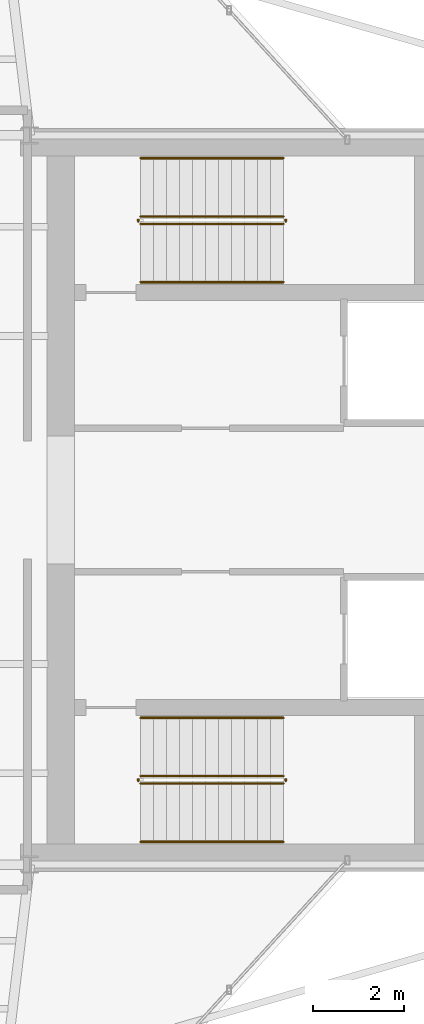
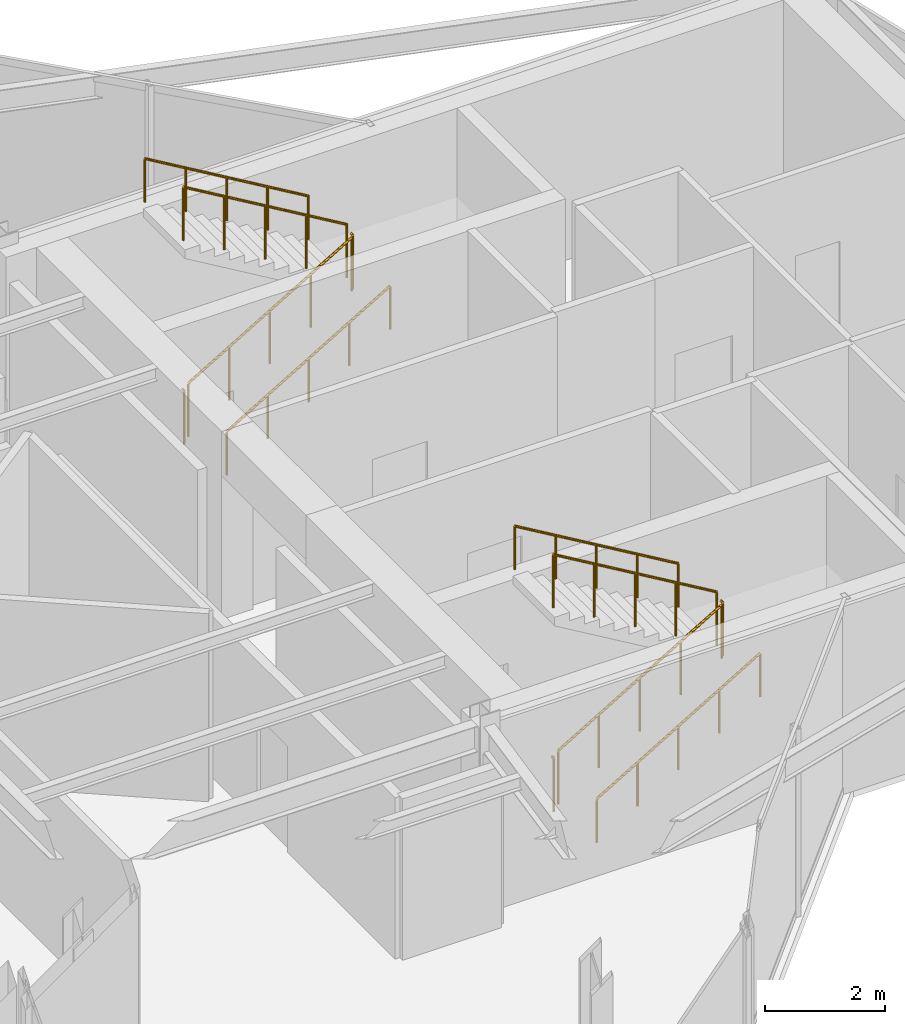
# One storey, part 14 of 14: 12 railings.
"""IFC4 building model written with IfcOpenShell, lengths in metres."""

from ifc_helpers import new_model, si_unit, direction, frame, origin, origin_2d, place, context, subcontext, project, spatial, circle, extrude, material, type_object, element, save


model = new_model("IFC4")

# Units and contexts
model_context = context("Model", 3, precision=1e-05, world=origin(), true_north=direction((0.0, 1.0)))
body_context = subcontext(model_context, "Body", "Model", "MODEL_VIEW")
ifc_project = project(units=[si_unit("LENGTHUNIT", "METRE"), si_unit("AREAUNIT", "SQUARE_METRE"), si_unit("VOLUMEUNIT", "CUBIC_METRE"), si_unit("PLANEANGLEUNIT", "RADIAN"), si_unit("MASSUNIT", "GRAM", prefix="KILO")], contexts=[model_context])

# Site, building, storey
site_placement = place(None, origin())
site = spatial("IfcSite", under=ifc_project, at=site_placement, CompositionType="ELEMENT")
building_placement = place(site_placement, origin())
building = spatial("IfcBuilding", under=site, at=building_placement, Name="Veymaron Broadcast Tower", CompositionType="ELEMENT")
storey_placement = place(building_placement, frame((0.0, 0.0, 283.050048828125)))
storey = spatial("IfcBuildingStorey", under=building, at=storey_placement, Name="L66", CompositionType="ELEMENT", Elevation=283.050048828125)

# Railings
ifc_material_1 = material(Name="Brushed stainless steel AISI 304", Category="steel")
railing_type_1 = type_object("IfcRailingType", Name="RAIL-STAIR-HR", PredefinedType="HANDRAIL", material=ifc_material_1)
railing_1_placement = place(storey_placement, frame((41.429931640625, 28.780029296875, 0.168701171875)))
element("IfcRailing", 1, at=railing_1_placement, inside=storey, type_object=railing_type_1, Name="L66 ST1 stair handrail 1", PredefinedType="HANDRAIL", context=body_context, shape_type="SweptSolid", body=[
    extrude(circle(Radius=0.02392578125, at=origin_2d()), frame((0.0, 0.0, 0.8759765625), z_axis=(0.860481960309, 0.0, 0.509480908359), x_axis=(0.0, 1.0, 0.0)), (0.0, 0.0, 1.0), 3.643310546875),
    extrude(circle(Radius=0.02099609375, at=origin_2d()), origin(), (0.0, 0.0, 1.0), 0.851806640625),
    extrude(circle(Radius=0.02099609375, at=origin_2d()), frame((0.78369140625, 0.0, 0.464111328125)), (0.0, 0.0, 1.0), 0.851806640625),
    extrude(circle(Radius=0.02099609375, at=origin_2d()), frame((1.5673828125, 0.0, 0.92822265625)), (0.0, 0.0, 1.0), 0.851806640625),
    extrude(circle(Radius=0.02099609375, at=origin_2d()), frame((2.351318359375, 0.0, 1.39208984375)), (0.0, 0.0, 1.0), 0.851806640625),
    extrude(circle(Radius=0.02099609375, at=origin_2d()), frame((3.135009765625, 0.0, 1.856201171875)), (0.0, 0.0, 1.0), 0.851806640625),
])
railing_2_placement = place(storey_placement, frame((44.56494140625, 31.5, 2.193603515625)))
element("IfcRailing", 2, at=railing_2_placement, inside=storey, type_object=railing_type_1, Name="L66 ST1 stair handrail 2", PredefinedType="HANDRAIL", context=body_context, shape_type="SweptSolid", body=[
    extrude(circle(Radius=0.02392578125, at=origin_2d()), frame((0.0, 0.0, 0.8759765625), z_axis=(-0.860452582533, 0.0, 0.509530522356), x_axis=(0.0, -1.0, 0.0)), (0.0, 0.0, 1.0), 3.6435546875),
    extrude(circle(Radius=0.02099609375, at=origin_2d()), origin(), (0.0, 0.0, 1.0), 0.851806640625),
    extrude(circle(Radius=0.02099609375, at=origin_2d()), frame((-0.78369140625, 0.0, 0.464111328125)), (0.0, 0.0, 1.0), 0.851806640625),
    extrude(circle(Radius=0.02099609375, at=origin_2d()), frame((-1.5673828125, 0.0, 0.92822265625)), (0.0, 0.0, 1.0), 0.851806640625),
    extrude(circle(Radius=0.02099609375, at=origin_2d()), frame((-2.351318359375, 0.0, 1.392333984375)), (0.0, 0.0, 1.0), 0.851806640625),
    extrude(circle(Radius=0.02099609375, at=origin_2d()), frame((-3.135009765625, 0.0, 1.8564453125)), (0.0, 0.0, 1.0), 0.851806640625),
])
railing_3_placement = place(storey_placement, frame((41.429931640625, 16.5, 0.168701171875)))
element("IfcRailing", 3, at=railing_3_placement, inside=storey, type_object=railing_type_1, Name="L66 ST2 stair handrail 1", PredefinedType="HANDRAIL", context=body_context, shape_type="SweptSolid", body=[
    extrude(circle(Radius=0.02392578125, at=origin_2d()), frame((0.0, 0.0, 0.8759765625), z_axis=(0.860481960309, 0.0, 0.509480908359), x_axis=(0.0, 1.0, 0.0)), (0.0, 0.0, 1.0), 3.643310546875),
    extrude(circle(Radius=0.02099609375, at=origin_2d()), origin(), (0.0, 0.0, 1.0), 0.851806640625),
    extrude(circle(Radius=0.02099609375, at=origin_2d()), frame((0.78369140625, 0.0, 0.464111328125)), (0.0, 0.0, 1.0), 0.851806640625),
    extrude(circle(Radius=0.02099609375, at=origin_2d()), frame((1.5673828125, 0.0, 0.92822265625)), (0.0, 0.0, 1.0), 0.851806640625),
    extrude(circle(Radius=0.02099609375, at=origin_2d()), frame((2.351318359375, 0.0, 1.39208984375)), (0.0, 0.0, 1.0), 0.851806640625),
    extrude(circle(Radius=0.02099609375, at=origin_2d()), frame((3.135009765625, 0.0, 1.856201171875)), (0.0, 0.0, 1.0), 0.851806640625),
])
railing_4_placement = place(storey_placement, frame((44.56494140625, 19.219970703125, 2.193603515625)))
element("IfcRailing", 4, at=railing_4_placement, inside=storey, type_object=railing_type_1, Name="L66 ST2 stair handrail 2", PredefinedType="HANDRAIL", context=body_context, shape_type="SweptSolid", body=[
    extrude(circle(Radius=0.02392578125, at=origin_2d()), frame((0.0, 0.0, 0.8759765625), z_axis=(-0.860452582533, 0.0, 0.509530522356), x_axis=(0.0, -1.0, 0.0)), (0.0, 0.0, 1.0), 3.6435546875),
    extrude(circle(Radius=0.02099609375, at=origin_2d()), origin(), (0.0, 0.0, 1.0), 0.851806640625),
    extrude(circle(Radius=0.02099609375, at=origin_2d()), frame((-0.78369140625, 0.0, 0.464111328125)), (0.0, 0.0, 1.0), 0.851806640625),
    extrude(circle(Radius=0.02099609375, at=origin_2d()), frame((-1.5673828125, 0.0, 0.92822265625)), (0.0, 0.0, 1.0), 0.851806640625),
    extrude(circle(Radius=0.02099609375, at=origin_2d()), frame((-2.351318359375, 0.0, 1.392333984375)), (0.0, 0.0, 1.0), 0.851806640625),
    extrude(circle(Radius=0.02099609375, at=origin_2d()), frame((-3.135009765625, 0.0, 1.8564453125)), (0.0, 0.0, 1.0), 0.851806640625),
])
ifc_material_2 = material(Name="Painted galvanized steel balustrade", Category="steel")
railing_type_2 = type_object("IfcRailingType", Name="RAIL-WELL-GRD", PredefinedType="GUARDRAIL", material=ifc_material_2)
railing_5_placement = place(storey_placement, frame((41.429931640625, 30.06005859375, 0.168701171875)))
element("IfcRailing", 5, at=railing_5_placement, inside=storey, type_object=railing_type_2, Name="L66 ST1 stair guard 1", PredefinedType="GUARDRAIL", context=body_context, shape_type="SweptSolid", body=[
    extrude(circle(Radius=0.02392578125, at=origin_2d()), frame((0.0, 0.0, 1.076171875), z_axis=(0.860481960309, 0.0, 0.509480908359), x_axis=(0.0, 1.0, 0.0)), (0.0, 0.0, 1.0), 3.643310546875),
    extrude(circle(Radius=0.02099609375, at=origin_2d()), origin(), (0.0, 0.0, 1.0), 1.052001953125),
    extrude(circle(Radius=0.02099609375, at=origin_2d()), frame((0.78369140625, 0.0, 0.464111328125)), (0.0, 0.0, 1.0), 1.052001953125),
    extrude(circle(Radius=0.02099609375, at=origin_2d()), frame((1.5673828125, 0.0, 0.92822265625)), (0.0, 0.0, 1.0), 1.052001953125),
    extrude(circle(Radius=0.02099609375, at=origin_2d()), frame((2.351318359375, 0.0, 1.39208984375)), (0.0, 0.0, 1.0), 1.052001953125),
    extrude(circle(Radius=0.02099609375, at=origin_2d()), frame((3.135009765625, 0.0, 1.856201171875)), (0.0, 0.0, 1.0), 1.052001953125),
])
railing_6_placement = place(storey_placement, frame((44.614990234375, 30.110107421875, 2.02490234375)))
element("IfcRailing", 6, at=railing_6_placement, inside=storey, type_object=railing_type_2, Name="L66 ST1 stair guard 2", PredefinedType="GUARDRAIL", context=body_context, shape_type="SweptSolid", body=[
    extrude(circle(Radius=0.02392578125, at=origin_2d()), frame((0.0, 0.0, 1.076171875), z_axis=(0.0, 1.0, 0.0), x_axis=(-1.0, 0.0, 0.0)), (0.0, 0.0, 1.0), 0.059814453125),
    extrude(circle(Radius=0.02099609375, at=origin_2d()), origin(), (0.0, 0.0, 1.0), 1.052001953125),
])
railing_7_placement = place(storey_placement, frame((44.56494140625, 30.219970703125, 2.193603515625)))
element("IfcRailing", 7, at=railing_7_placement, inside=storey, type_object=railing_type_2, Name="L66 ST1 stair guard 3", PredefinedType="GUARDRAIL", context=body_context, shape_type="SweptSolid", body=[
    extrude(circle(Radius=0.02392578125, at=origin_2d()), frame((0.0, 0.0, 1.076171875), z_axis=(-0.860452582533, 0.0, 0.509530522356), x_axis=(0.0, -1.0, 0.0)), (0.0, 0.0, 1.0), 3.6435546875),
    extrude(circle(Radius=0.02099609375, at=origin_2d()), origin(), (0.0, 0.0, 1.0), 1.052001953125),
    extrude(circle(Radius=0.02099609375, at=origin_2d()), frame((-0.78369140625, 0.0, 0.464111328125)), (0.0, 0.0, 1.0), 1.052001953125),
    extrude(circle(Radius=0.02099609375, at=origin_2d()), frame((-1.5673828125, 0.0, 0.92822265625)), (0.0, 0.0, 1.0), 1.052001953125),
    extrude(circle(Radius=0.02099609375, at=origin_2d()), frame((-2.351318359375, 0.0, 1.392333984375)), (0.0, 0.0, 1.0), 1.052001953125),
    extrude(circle(Radius=0.02099609375, at=origin_2d()), frame((-3.135009765625, 0.0, 1.8564453125)), (0.0, 0.0, 1.0), 1.052001953125),
])
railing_8_placement = place(storey_placement, frame((41.3798828125, 30.110107421875, 0.0)))
element("IfcRailing", 8, at=railing_8_placement, inside=storey, type_object=railing_type_2, Name="L66 ST1 stair guard 4", PredefinedType="GUARDRAIL", context=body_context, shape_type="SweptSolid", body=[
    extrude(circle(Radius=0.02392578125, at=origin_2d()), frame((0.0, 0.0, 1.076171875), z_axis=(0.0, 1.0, 0.0), x_axis=(-1.0, 0.0, 0.0)), (0.0, 0.0, 1.0), 0.059814453125),
    extrude(circle(Radius=0.02099609375, at=origin_2d()), origin(), (0.0, 0.0, 1.0), 1.052001953125),
])
railing_9_placement = place(storey_placement, frame((41.429931640625, 17.780029296875, 0.168701171875)))
element("IfcRailing", 9, at=railing_9_placement, inside=storey, type_object=railing_type_2, Name="L66 ST2 stair guard 1", PredefinedType="GUARDRAIL", context=body_context, shape_type="SweptSolid", body=[
    extrude(circle(Radius=0.02392578125, at=origin_2d()), frame((0.0, 0.0, 1.076171875), z_axis=(0.860481960309, 0.0, 0.509480908359), x_axis=(0.0, 1.0, 0.0)), (0.0, 0.0, 1.0), 3.643310546875),
    extrude(circle(Radius=0.02099609375, at=origin_2d()), origin(), (0.0, 0.0, 1.0), 1.052001953125),
    extrude(circle(Radius=0.02099609375, at=origin_2d()), frame((0.78369140625, 0.0, 0.464111328125)), (0.0, 0.0, 1.0), 1.052001953125),
    extrude(circle(Radius=0.02099609375, at=origin_2d()), frame((1.5673828125, 0.0, 0.92822265625)), (0.0, 0.0, 1.0), 1.052001953125),
    extrude(circle(Radius=0.02099609375, at=origin_2d()), frame((2.351318359375, 0.0, 1.39208984375)), (0.0, 0.0, 1.0), 1.052001953125),
    extrude(circle(Radius=0.02099609375, at=origin_2d()), frame((3.135009765625, 0.0, 1.856201171875)), (0.0, 0.0, 1.0), 1.052001953125),
])
railing_10_placement = place(storey_placement, frame((44.614990234375, 17.830078125, 2.02490234375)))
element("IfcRailing", 10, at=railing_10_placement, inside=storey, type_object=railing_type_2, Name="L66 ST2 stair guard 2", PredefinedType="GUARDRAIL", context=body_context, shape_type="SweptSolid", body=[
    extrude(circle(Radius=0.02392578125, at=origin_2d()), frame((0.0, 0.0, 1.076171875), z_axis=(0.0, 1.0, 0.0), x_axis=(-1.0, 0.0, 0.0)), (0.0, 0.0, 1.0), 0.059814453125),
    extrude(circle(Radius=0.02099609375, at=origin_2d()), origin(), (0.0, 0.0, 1.0), 1.052001953125),
])
railing_11_placement = place(storey_placement, frame((44.56494140625, 17.93994140625, 2.193603515625)))
element("IfcRailing", 11, at=railing_11_placement, inside=storey, type_object=railing_type_2, Name="L66 ST2 stair guard 3", PredefinedType="GUARDRAIL", context=body_context, shape_type="SweptSolid", body=[
    extrude(circle(Radius=0.02392578125, at=origin_2d()), frame((0.0, 0.0, 1.076171875), z_axis=(-0.860452582533, 0.0, 0.509530522356), x_axis=(0.0, -1.0, 0.0)), (0.0, 0.0, 1.0), 3.6435546875),
    extrude(circle(Radius=0.02099609375, at=origin_2d()), origin(), (0.0, 0.0, 1.0), 1.052001953125),
    extrude(circle(Radius=0.02099609375, at=origin_2d()), frame((-0.78369140625, 0.0, 0.464111328125)), (0.0, 0.0, 1.0), 1.052001953125),
    extrude(circle(Radius=0.02099609375, at=origin_2d()), frame((-1.5673828125, 0.0, 0.92822265625)), (0.0, 0.0, 1.0), 1.052001953125),
    extrude(circle(Radius=0.02099609375, at=origin_2d()), frame((-2.351318359375, 0.0, 1.392333984375)), (0.0, 0.0, 1.0), 1.052001953125),
    extrude(circle(Radius=0.02099609375, at=origin_2d()), frame((-3.135009765625, 0.0, 1.8564453125)), (0.0, 0.0, 1.0), 1.052001953125),
])
railing_12_placement = place(storey_placement, frame((41.3798828125, 17.830078125, 0.0)))
element("IfcRailing", 12, at=railing_12_placement, inside=storey, type_object=railing_type_2, Name="L66 ST2 stair guard 4", PredefinedType="GUARDRAIL", context=body_context, shape_type="SweptSolid", body=[
    extrude(circle(Radius=0.02392578125, at=origin_2d()), frame((0.0, 0.0, 1.076171875), z_axis=(0.0, 1.0, 0.0), x_axis=(-1.0, 0.0, 0.0)), (0.0, 0.0, 1.0), 0.059814453125),
    extrude(circle(Radius=0.02099609375, at=origin_2d()), origin(), (0.0, 0.0, 1.0), 1.052001953125),
])

save(model, "model.ifc")
